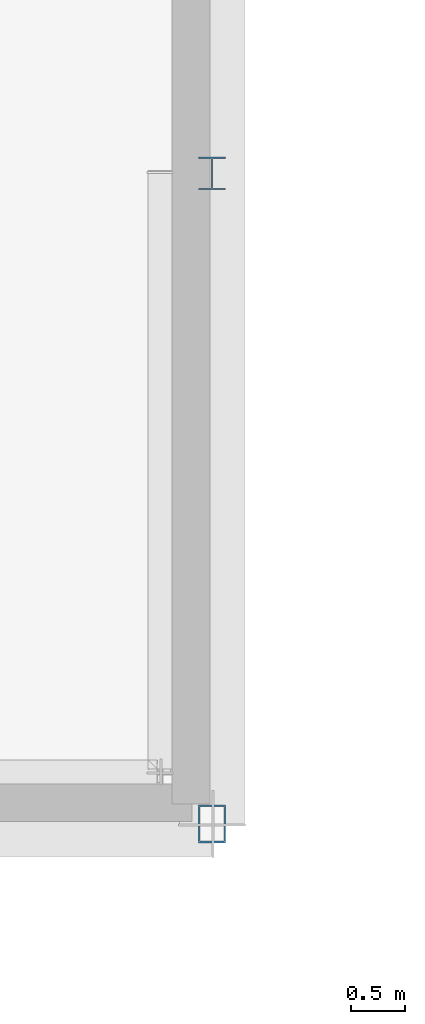
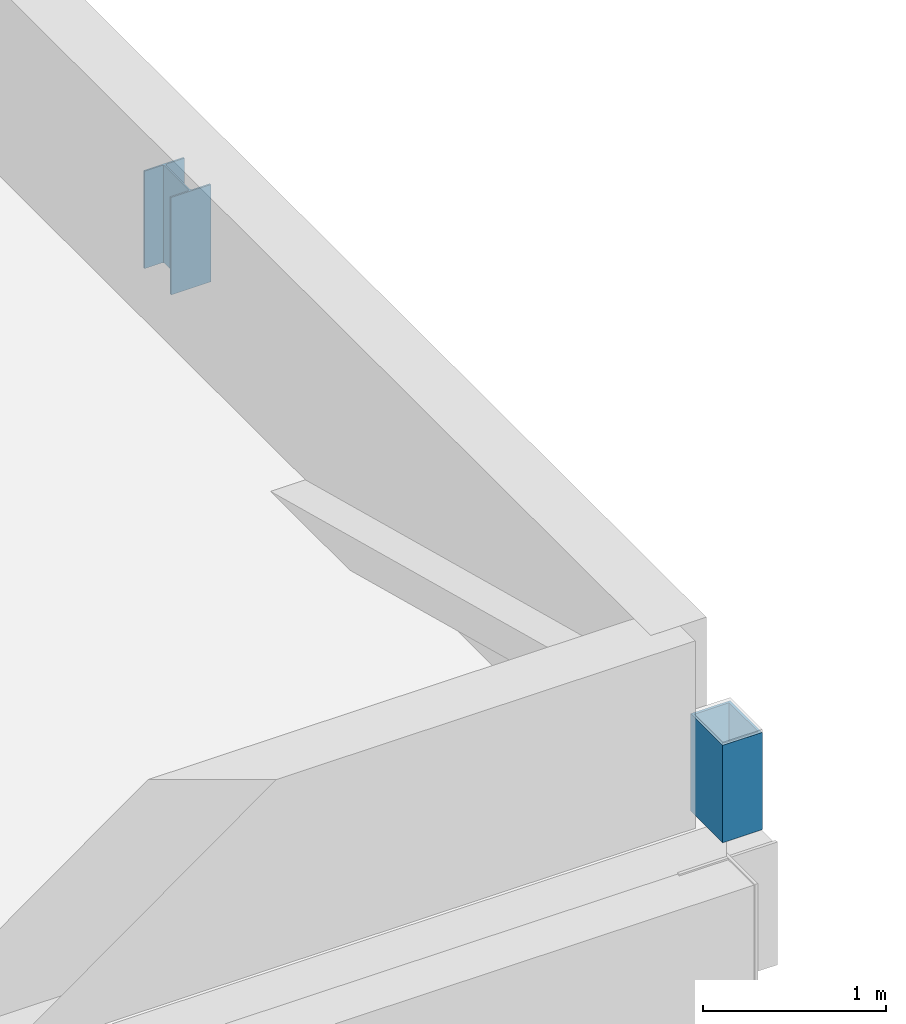
# One storey, part 48 of 85: 2 members.
"""IFC4 building model written with IfcOpenShell, lengths in metres."""

import ifcopenshell
import ifcopenshell.guid

model = None  # the IFC model being written
_history = None  # IfcOwnerHistory: only IFC2X3 demands one
_inside = {}  # id of a spatial element -> (the spatial element, [elements in it])
_under = {}  # id of a project, library or spatial element -> (it, [spatial elements below it])
_declared = {}  # id of a project -> (the project, [libraries it declares])
_typed = {}  # id of a type object -> (the type object, [elements of that type])
_made_of = {}  # id of a material, layer set ... -> (it, [elements and type objects made of it])


def new_model(schema):
    """Start an empty IFC model of exactly this schema.

    Asked for "IFC4X3", IfcOpenShell would pick the latest addendum, in which some entities
    have other attributes; the version numbers below select the first issue.
    IFC2X3 requires an IfcOwnerHistory on every rooted entity: one is made here for all.
    """
    global model, _history
    if schema == "IFC4X3":
        model = ifcopenshell.file(schema_version=(4, 3, 0, 0))
    else:
        model = ifcopenshell.file(schema=schema)
    _inside.clear()
    _under.clear()
    _declared.clear()
    _typed.clear()
    _made_of.clear()
    _history = None
    if model.schema == "IFC2X3":
        org = make("IfcOrganization", Name="unknown")
        user = make(
            "IfcPersonAndOrganization",
            ThePerson=make("IfcPerson", FamilyName="unknown"),
            TheOrganization=org,
        )
        app = make(
            "IfcApplication",
            ApplicationDeveloper=org,
            Version="unknown",
            ApplicationFullName="unknown",
            ApplicationIdentifier="unknown",
        )
        _history = make(
            "IfcOwnerHistory",
            OwningUser=user,
            OwningApplication=app,
            ChangeAction="ADDED",
            CreationDate=0,
        )
    return model


def make(cls, **values):
    """One entity of the class cls with the attributes given. An attribute that is None is left unset."""
    return model.create_entity(
        cls, **{name: value for name, value in values.items() if value is not None}
    )


def rooted(cls, **values):
    """An entity with a GlobalId (a new one), such as an element, a storey or a relation."""
    return make(cls, GlobalId=ifcopenshell.guid.new(), OwnerHistory=_history, **values)


def si_unit(unit_type, name, prefix=None):
    """IfcSIUnit, for example si_unit("LENGTHUNIT", "METRE", prefix="MILLI")."""
    return make("IfcSIUnit", UnitType=unit_type, Prefix=prefix, Name=name)


def derived_unit(unit_type, elements):
    """IfcDerivedUnit: a product of units, each with its exponent."""
    return make(
        "IfcDerivedUnit",
        Elements=[
            make("IfcDerivedUnitElement", Unit=unit, Exponent=power)
            for unit, power in elements
        ],
        UnitType=unit_type,
    )


def assignment(units):
    """IfcUnitAssignment: the units of a project."""
    return None if units is None else make("IfcUnitAssignment", Units=units)


def point(xyz):
    """IfcCartesianPoint."""
    return None if xyz is None else make("IfcCartesianPoint", Coordinates=xyz)


def direction(xyz):
    """IfcDirection."""
    return None if xyz is None else make("IfcDirection", DirectionRatios=xyz)


def frame(location, z_axis=None, x_axis=None):
    """IfcAxis2Placement3D, a coordinate frame: its origin and axes. An axis left out is left unset."""
    return make(
        "IfcAxis2Placement3D",
        Location=point(location),
        Axis=direction(z_axis),
        RefDirection=direction(x_axis),
    )


def frame_2d(location, x_axis=None):
    """IfcAxis2Placement2D, a coordinate frame in the plane: its origin and x axis."""
    return make(
        "IfcAxis2Placement2D", Location=point(location), RefDirection=direction(x_axis)
    )


def origin():
    """The frame at (0, 0, 0) with its axes left unset."""
    return frame((0.0, 0.0, 0.0))


def origin_2d():
    """The frame at (0, 0) in the plane with its x axis left unset."""
    return frame_2d((0.0, 0.0))


def place(relative_to, where):
    """IfcLocalPlacement: puts the frame where relative to a parent placement (None: the world)."""
    return make(
        "IfcLocalPlacement", PlacementRelTo=relative_to, RelativePlacement=where
    )


def context(
    kind, dimensions, precision=None, world=None, true_north=None, identifier=None
):
    """IfcGeometricRepresentationContext, for example the 3D "Model" context."""
    return make(
        "IfcGeometricRepresentationContext",
        ContextIdentifier=identifier,
        ContextType=kind,
        CoordinateSpaceDimension=dimensions,
        Precision=precision,
        WorldCoordinateSystem=world,
        TrueNorth=true_north,
    )


def subcontext(parent, identifier, kind, view, scale=None):
    """IfcGeometricRepresentationSubContext, for example "Body" below "Model"."""
    return make(
        "IfcGeometricRepresentationSubContext",
        ContextIdentifier=identifier,
        ContextType=kind,
        ParentContext=parent,
        TargetScale=scale,
        TargetView=view,
    )


def project(units=None, contexts=None):
    """IfcProject with its units and contexts."""
    return rooted(
        "IfcProject",
        Name="project",
        RepresentationContexts=contexts,
        UnitsInContext=assignment(units),
    )


def spatial(cls, under=None, at=None, **own):
    """A site, building, storey or space (cls), placed at a placement, below another one or the project."""
    s = rooted(cls, ObjectPlacement=at, **own)
    if under is not None:
        _under.setdefault(under.id(), (under, []))[1].append(s)
    return s


def profile(cls, at=None, kind="AREA", **sizes):
    """A parametric profile (cls). Its sizes go by their IFC names, for example OverallWidth=200.0."""
    return make(cls, ProfileType=kind, Position=at, **sizes)


def hollow_rectangle(**sizes):
    """IfcRectangleHollowProfileDef."""
    return profile("IfcRectangleHollowProfileDef", **sizes)


def i_section(**sizes):
    """IfcIShapeProfileDef."""
    return profile("IfcIShapeProfileDef", **sizes)


def extrude(swept, where, along, depth):
    """IfcExtrudedAreaSolid: the profile swept, set in the frame where, extruded along a direction by depth."""
    return make(
        "IfcExtrudedAreaSolid",
        SweptArea=swept,
        Position=where,
        ExtrudedDirection=direction(along),
        Depth=depth,
    )


def shape(context_of_items, identifier, shape_type, items):
    """IfcShapeRepresentation: the items that make up one representation, for example the "Body"."""
    return make(
        "IfcShapeRepresentation",
        ContextOfItems=context_of_items,
        RepresentationIdentifier=identifier,
        RepresentationType=shape_type,
        Items=items,
    )


def material(Name=None, Category=None):
    """IfcMaterial."""
    return make("IfcMaterial", Name=Name, Category=Category)


def material_profile(
    of_material, cross_section, Name=None, Category=None, Priority=None
):
    """IfcMaterialProfile: a cross section and its material."""
    return make(
        "IfcMaterialProfile",
        Name=Name,
        Material=of_material,
        Profile=cross_section,
        Priority=Priority,
        Category=Category,
    )


def profile_set(profiles, Name=None, composite=None):
    """IfcMaterialProfileSet."""
    return make(
        "IfcMaterialProfileSet",
        Name=Name,
        MaterialProfiles=profiles,
        CompositeProfile=composite,
    )


def made_of(thing, what):
    """Note that an element or type object is made of a material, layer set ...; save() writes the relation."""
    if what is not None:
        _made_of.setdefault(what.id(), (what, []))[1].append(thing)
    return thing


def type_object(cls, material=None, **own):
    """A type object (cls), such as IfcWallType, which elements share."""
    return made_of(rooted(cls, **own), material)


def element(
    cls,
    number,
    at=None,
    inside=None,
    cuts=None,
    type_object=None,
    material=None,
    context=None,
    identifier="Body",
    shape_type=None,
    held_by="IfcProductDefinitionShape",
    body=None,
    shapes=None,
    **own,
):
    """One element of the class cls, such as IfcWall. Its Tag is "e" and its number.

    at: its placement. inside: the storey or other place that contains it. cuts: it is an
    opening in that element (IfcRelVoidsElement). A single representation is given by context,
    identifier, shape_type and body (its items); several are given by shapes. held_by: the class
    of the entity that holds the representations. save() writes the other relations.
    """
    e = rooted(cls, Tag="e%d" % number, ObjectPlacement=at, **own)
    if body is not None:
        shapes = [shape(context, identifier, shape_type, body)]
    if shapes is not None:
        e.Representation = make(held_by, Representations=shapes)
    if inside is not None:
        _inside.setdefault(inside.id(), (inside, []))[1].append(e)
    if cuts is not None:
        rooted(
            "IfcRelVoidsElement", RelatingBuildingElement=cuts, RelatedOpeningElement=e
        )
    if type_object is not None:
        _typed.setdefault(type_object.id(), (type_object, []))[1].append(e)
    return made_of(e, material)


def aggregate(whole, parts):
    """IfcRelAggregates: a whole, such as a stair, and the parts it consists of."""
    return rooted("IfcRelAggregates", RelatingObject=whole, RelatedObjects=parts)


def save(model, path):
    """Write the relations noted so far, then the file.

    IfcRelAggregates (storeys below a building ...), IfcRelContainedInSpatialStructure (elements
    in a storey), IfcRelDefinesByType, IfcRelAssociatesMaterial and IfcRelDeclares: one each for
    every whole, place, type object, material and project.
    """
    for whole, parts in _under.values():
        aggregate(whole, parts)
    for where, things in _inside.values():
        rooted(
            "IfcRelContainedInSpatialStructure",
            RelatedElements=things,
            RelatingStructure=where,
        )
    for kind, things in _typed.values():
        rooted("IfcRelDefinesByType", RelatedObjects=things, RelatingType=kind)
    for what, things in _made_of.values():
        rooted("IfcRelAssociatesMaterial", RelatedObjects=things, RelatingMaterial=what)
    for by, libraries in _declared.values():
        rooted("IfcRelDeclares", RelatingContext=by, RelatedDefinitions=libraries)
    model.write(path)


model = new_model("IFC4")

# Units and contexts
model_context = context("Model", 3, precision=1e-05, world=origin(), true_north=direction((0.0, 1.0)))
body_context = subcontext(model_context, "Body", "Model", "MODEL_VIEW")
ifc_project = project(units=[si_unit("LENGTHUNIT", "METRE"), si_unit("AREAUNIT", "SQUARE_METRE"), si_unit("VOLUMEUNIT", "CUBIC_METRE"), si_unit("PLANEANGLEUNIT", "RADIAN"), si_unit("MASSUNIT", "GRAM", prefix="KILO"), derived_unit("THERMALTRANSMITTANCEUNIT", [(si_unit("POWERUNIT", "WATT"), 1), (si_unit("LENGTHUNIT", "METRE"), -2), (si_unit("THERMODYNAMICTEMPERATUREUNIT", "KELVIN"), -1)])], contexts=[model_context])

# Site, building, storey
site_placement = place(None, origin())
site = spatial("IfcSite", under=ifc_project, at=site_placement, CompositionType="ELEMENT")
building_placement = place(site_placement, origin())
building = spatial("IfcBuilding", under=site, at=building_placement, Name="Nallur Shell Playhouse", CompositionType="ELEMENT")
storey_placement = place(building_placement, frame((0.0, 0.0, 19.800048828125)))
storey = spatial("IfcBuildingStorey", under=building, at=storey_placement, Name="L05", CompositionType="ELEMENT", Elevation=19.800048828125)

# Members
ifc_material = material(Name="Steel E350", Category="steel")
ifc_material_profile_1 = material_profile(ifc_material, i_section(OverallWidth=0.25, OverallDepth=0.300048828125, WebThickness=0.009521484375, FlangeThickness=0.010498046875, FilletRadius=0.010986328125, at=origin_2d()), Name="ISHB 300")
ifc_profile_set_1 = profile_set([ifc_material_profile_1], Name="Steel E350")
member_type_1 = type_object("IfcMemberType", Name="MB-FASCIA-POST", PredefinedType="POST", material=ifc_profile_set_1)
member_1_placement = place(storey_placement, frame((118.60009765625, 16.0, 0.0), z_axis=(0.0, 0.0, 1.0), x_axis=(1.0, 0.0, 0.0)))
element("IfcMember", 1, at=member_1_placement, inside=storey, type_object=member_type_1, Name="Cantilever truss fascia post POST-GB-L05-14", PredefinedType="POST", context=body_context, shape_type="SweptSolid", body=[
    extrude(i_section(OverallWidth=0.25, OverallDepth=0.300048828125, WebThickness=0.009521484375, FlangeThickness=0.010498046875, FilletRadius=0.010986328125, at=origin_2d()), origin(), (0.0, 0.0, 1.0), 0.64990234375),
])
ifc_material_profile_2 = material_profile(ifc_material, hollow_rectangle(XDim=0.25, YDim=0.35009765625, WallThickness=0.01611328125, at=origin_2d()), Name="RHS 350x250x16")
ifc_profile_set_2 = profile_set([ifc_material_profile_2], Name="Steel E350")
member_type_2 = type_object("IfcMemberType", Name="MB-FASCIA-RHS", PredefinedType="POST", material=ifc_profile_set_2)
member_2_placement = place(storey_placement, frame((118.60009765625, 10.0, 0.0), z_axis=(0.0, 0.0, 1.0), x_axis=(1.0, 0.0, 0.0)))
element("IfcMember", 2, at=member_2_placement, inside=storey, type_object=member_type_2, Name="Cantilever truss fascia post POST-GB-L05-08", PredefinedType="POST", context=body_context, shape_type="SweptSolid", body=[
    extrude(hollow_rectangle(XDim=0.25, YDim=0.35009765625, WallThickness=0.01611328125, at=origin_2d()), origin(), (0.0, 0.0, 1.0), 0.64990234375),
])

save(model, "model.ifc")
